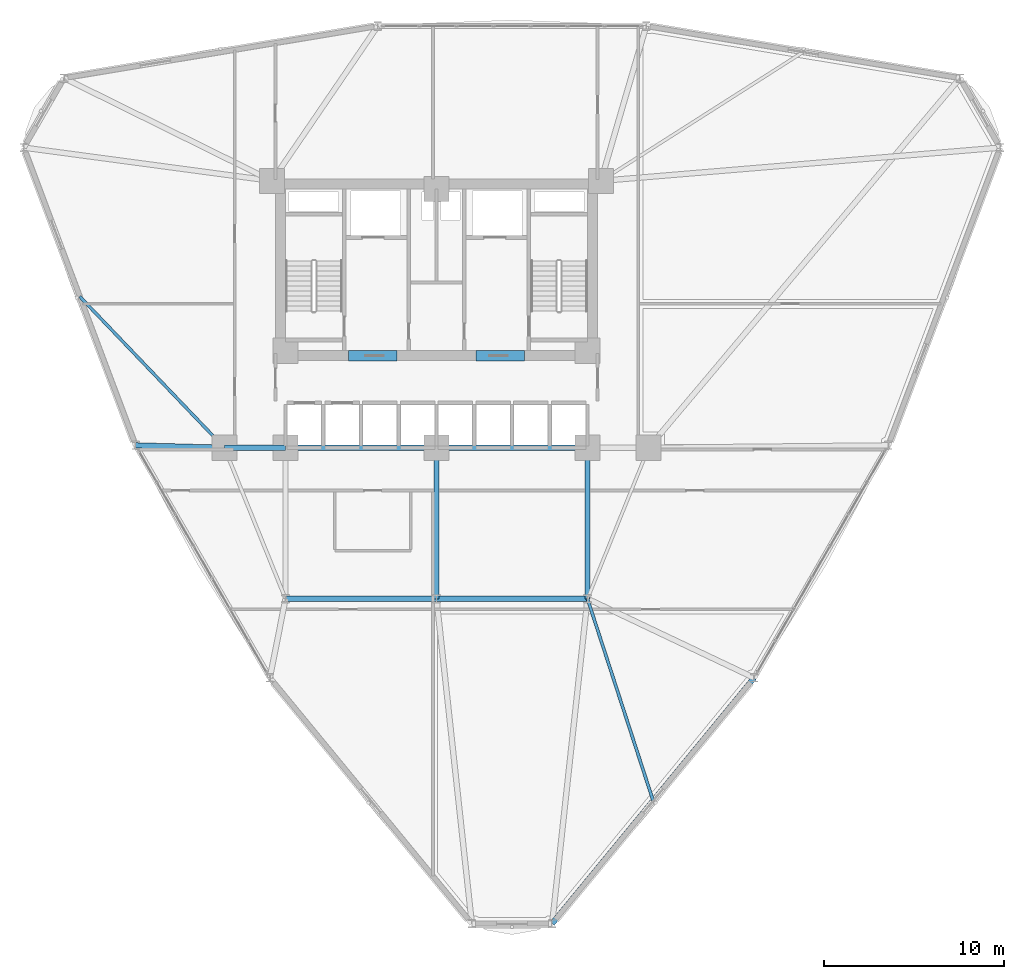
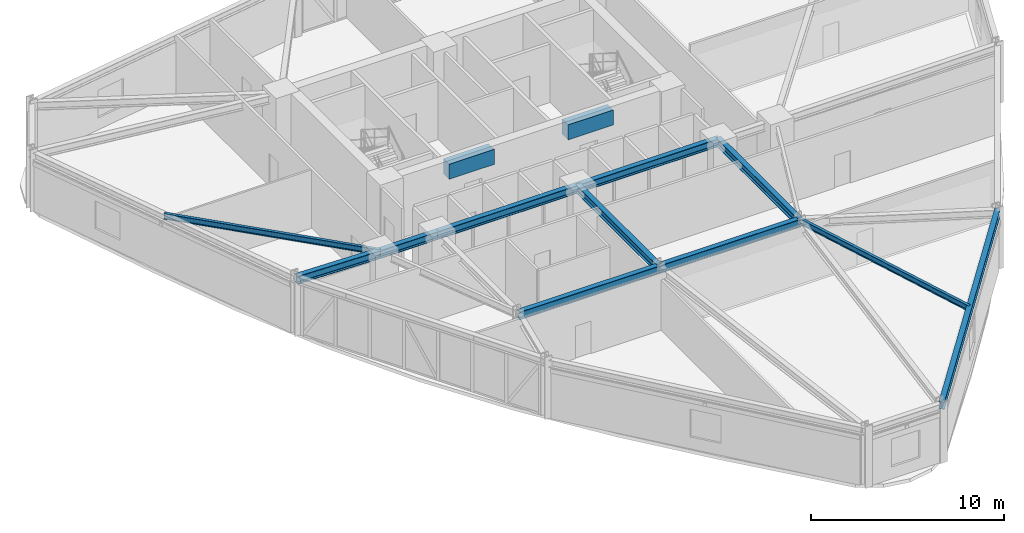
# One storey, part 5 of 20: 13 beams.
"""IFC4 building model written with IfcOpenShell, lengths in metres."""

from ifc_helpers import new_model, si_unit, derived_unit, direction, frame, origin, origin_2d, place, context, subcontext, project, spatial, rectangle, i_section, extrude, source, transform, mapped, material, material_profile, profile_set, type_object, element, save


model = new_model("IFC4")

# Units and contexts
model_context = context("Model", 3, precision=1e-05, world=origin(), true_north=direction((0.0, 1.0)))
body_context = subcontext(model_context, "Body", "Model", "MODEL_VIEW")
ifc_project = project(units=[si_unit("LENGTHUNIT", "METRE"), si_unit("AREAUNIT", "SQUARE_METRE"), si_unit("VOLUMEUNIT", "CUBIC_METRE"), si_unit("PLANEANGLEUNIT", "RADIAN"), si_unit("MASSUNIT", "GRAM", prefix="KILO"), derived_unit("THERMALTRANSMITTANCEUNIT", [(si_unit("POWERUNIT", "WATT"), 1), (si_unit("LENGTHUNIT", "METRE"), -2), (si_unit("THERMODYNAMICTEMPERATUREUNIT", "KELVIN"), -1)])], contexts=[model_context])

# Site, building, storey
site_placement = place(None, origin())
site = spatial("IfcSite", under=ifc_project, at=site_placement, CompositionType="ELEMENT")
building_placement = place(site_placement, origin())
building = spatial("IfcBuilding", under=site, at=building_placement, Name="Korsvarv Bourse and Concert Hall", CompositionType="ELEMENT")
storey_placement = place(building_placement, frame((0.0, 0.0, 79.5)))
storey = spatial("IfcBuildingStorey", under=building, at=storey_placement, Name="L19", CompositionType="ELEMENT", Elevation=79.5)

# Beams
ifc_material_1 = material(Name="Concrete C55/67", Category="concrete")
ifc_material_profile_1 = material_profile(ifc_material_1, rectangle(XDim=0.60009765625, YDim=0.949951171875, at=origin_2d()), Name="RC-BM 600x950")
ifc_profile_set_1 = profile_set([ifc_material_profile_1], Name="Concrete C55/67")
beam_type_1 = type_object("IfcBeamType", Name="BM-CPL", PredefinedType="LINTEL", material=ifc_profile_set_1)
shared_shape_1 = source(origin(), body_context, "Body", "SweptSolid", [
    extrude(rectangle(XDim=0.60009765625, YDim=0.949951171875, at=origin_2d()), origin(), (0.0, 0.0, 1.0), 2.699951171875),
])
for number, where, z_axis, x_axis, name in (
    (1, (31.10009765625, 37.52490234375, 3.205078125), (1.0, 0.0, 0.0), (0.0, 1.0, 0.0), "L19 Core Coupling Beam West"),
    (2, (38.199951171875, 37.52490234375, 3.205078125), (1.0, 0.0, 0.0), (0.0, 1.0, 0.0), "L19 Core Coupling Beam East"),
):
    element("IfcBeam", number, at=place(storey_placement, frame(where, z_axis=z_axis, x_axis=x_axis)), inside=storey, type_object=beam_type_1, Name=name, PredefinedType="LINTEL", context=body_context, shape_type="MappedRepresentation", body=[
        mapped(shared_shape_1, transform((0.0, 0.0, 0.0), scale=1.0)),
    ])
ifc_material_2 = material(Name="Steel S355", Category="steel")
ifc_material_profile_2 = material_profile(ifc_material_2, i_section(OverallWidth=0.300048828125, OverallDepth=0.5, WebThickness=0.014404296875, FlangeThickness=0.028076171875, FilletRadius=0.02392578125, at=origin_2d()), Name="HEB 500")
ifc_profile_set_2 = profile_set([ifc_material_profile_2], Name="Steel S355")
beam_type_2 = type_object("IfcBeamType", Name="BM-HEB500", PredefinedType="BEAM", material=ifc_profile_set_2)
shared_shape_2 = source(origin(), body_context, "Body", "SweptSolid", [
    extrude(i_section(OverallWidth=0.300048828125, OverallDepth=0.5, WebThickness=0.014404296875, FlangeThickness=0.028076171875, FilletRadius=0.02392578125, at=origin_2d()), origin(), (0.0, 0.0, 1.0), 3.400146484375),
])
beam_1_placement = place(storey_placement, frame((24.199951171875, 32.39990234375, 3.429931640625), z_axis=(1.0, 0.0, 0.0), x_axis=(0.0, 1.0, 0.0)))
element("IfcBeam", 3, at=beam_1_placement, inside=storey, type_object=beam_type_2, Name="L19 beam B-07", PredefinedType="BEAM", context=body_context, shape_type="MappedRepresentation", body=[
    mapped(shared_shape_2, transform((0.0, 0.0, 0.0), scale=1.0)),
])
shared_shape_3 = source(origin(), body_context, "Body", "SweptSolid", [
    extrude(i_section(OverallWidth=0.300048828125, OverallDepth=0.5, WebThickness=0.014404296875, FlangeThickness=0.028076171875, FilletRadius=0.02392578125, at=origin_2d()), origin(), (0.0, 0.0, 1.0), 8.39990234375),
])
for number, where, z_axis, x_axis, name in (
    (4, (27.60009765625, 32.39990234375, 3.429931640625), (1.0, 0.0, 0.0), (0.0, 1.0, 0.0), "L19 beam B-07"),
    (5, (36.0, 32.39990234375, 3.429931640625), (1.0, 0.0, 0.0), (0.0, 1.0, 0.0), "L19 beam B-07"),
    (6, (27.60009765625, 24.0, 3.429931640625), (1.0, 0.0, 0.0), (0.0, 1.0, 0.0), "L19 beam B-07"),
    (7, (36.0, 24.0, 3.429931640625), (1.0, 0.0, 0.0), (0.0, 1.0, 0.0), "L19 beam B-07"),
    (8, (36.0, 24.0, 3.429931640625), (0.0, 1.0, 0.0), (-1.0, 0.0, 0.0), "L19 beam B-07"),
    (9, (44.39990234375, 24.0, 3.429931640625), (0.0, 1.0, 0.0), (-1.0, 0.0, 0.0), "L19 beam B-07"),
):
    element("IfcBeam", number, at=place(storey_placement, frame(where, z_axis=z_axis, x_axis=x_axis)), inside=storey, type_object=beam_type_2, Name=name, PredefinedType="BEAM", context=body_context, shape_type="MappedRepresentation", body=[
        mapped(shared_shape_3, transform((0.0, 0.0, 0.0), scale=1.0)),
    ])
ifc_material_profile_3 = material_profile(ifc_material_2, i_section(OverallWidth=0.300048828125, OverallDepth=0.449951171875, WebThickness=0.013916015625, FlangeThickness=0.02587890625, FilletRadius=0.02099609375, at=origin_2d()), Name="HEB 450")
ifc_profile_set_3 = profile_set([ifc_material_profile_3], Name="Steel S355")
beam_type_3 = type_object("IfcBeamType", Name="BM-HEB450", PredefinedType="SPANDREL", material=ifc_profile_set_3)
shared_shape_4 = source(origin(), body_context, "Body", "SweptSolid", [
    extrude(i_section(OverallWidth=0.300048828125, OverallDepth=0.449951171875, WebThickness=0.013916015625, FlangeThickness=0.02587890625, FilletRadius=0.02099609375, at=origin_2d()), origin(), (0.0, 0.0, 1.0), 17.697998046875),
])
beam_2_placement = place(storey_placement, frame((42.43408203125, 5.92578125, 3.455078125), z_axis=(0.634964737332, 0.772541120165, 0.0), x_axis=(-0.772541120165, 0.634964737332, 0.0)))
element("IfcBeam", 10, at=beam_2_placement, inside=storey, type_object=beam_type_3, Name="L19 beam B-08", PredefinedType="SPANDREL", context=body_context, shape_type="MappedRepresentation", body=[
    mapped(shared_shape_4, transform((0.0, 0.0, 0.0), scale=1.0)),
])
shared_shape_5 = source(origin(), body_context, "Body", "SweptSolid", [
    extrude(i_section(OverallWidth=0.300048828125, OverallDepth=0.5, WebThickness=0.014404296875, FlangeThickness=0.028076171875, FilletRadius=0.02392578125, at=origin_2d()), origin(), (0.0, 0.0, 1.0), 4.94189453125),
])
beam_3_placement = place(storey_placement, frame((19.259765625, 32.5341796875, 3.429931640625), z_axis=(0.999630811292, -0.027170592845, 0.0), x_axis=(0.027170592845, 0.999630811292, 0.0)))
element("IfcBeam", 11, at=beam_3_placement, inside=storey, type_object=beam_type_2, Name="L19 beam B-07", PredefinedType="BEAM", context=body_context, shape_type="MappedRepresentation", body=[
    mapped(shared_shape_5, transform((0.0, 0.0, 0.0), scale=1.0)),
])
ifc_material_profile_4 = material_profile(ifc_material_2, i_section(OverallWidth=0.169921875, OverallDepth=0.360107421875, WebThickness=0.008056640625, FlangeThickness=0.0126953125, FilletRadius=0.01806640625, at=origin_2d()), Name="IPE 360")
ifc_profile_set_4 = profile_set([ifc_material_profile_4], Name="Steel S355")
beam_type_4 = type_object("IfcBeamType", Name="BM-IPE360", PredefinedType="JOIST", material=ifc_profile_set_4)
shared_shape_6 = source(origin(), body_context, "Body", "SweptSolid", [
    extrude(i_section(OverallWidth=0.169921875, OverallDepth=0.360107421875, WebThickness=0.008056640625, FlangeThickness=0.0126953125, FilletRadius=0.01806640625, at=origin_2d()), origin(), (0.0, 0.0, 1.0), 11.648681640625),
])
beam_4_placement = place(storey_placement, frame((16.148681640625, 40.818115234375, 3.5), z_axis=(0.691180768498, -0.722681911534, 0.0), x_axis=(0.722681911534, 0.691180768498, 0.0)))
element("IfcBeam", 12, at=beam_4_placement, inside=storey, type_object=beam_type_4, Name="L19 beam J-06", PredefinedType="JOIST", context=body_context, shape_type="MappedRepresentation", body=[
    mapped(shared_shape_6, transform((0.0, 0.0, 0.0), scale=1.0)),
])
shared_shape_7 = source(origin(), body_context, "Body", "SweptSolid", [
    extrude(i_section(OverallWidth=0.169921875, OverallDepth=0.360107421875, WebThickness=0.008056640625, FlangeThickness=0.0126953125, FilletRadius=0.01806640625, at=origin_2d()), origin(), (0.0, 0.0, 1.0), 11.81689453125),
])
beam_5_placement = place(storey_placement, frame((48.052978515625, 12.761962890625, 3.5), z_axis=(-0.309140730058, 0.951016303235, 0.0), x_axis=(-0.951016303235, -0.309140730058, 0.0)))
element("IfcBeam", 13, at=beam_5_placement, inside=storey, type_object=beam_type_4, Name="L19 beam J-06", PredefinedType="JOIST", context=body_context, shape_type="MappedRepresentation", body=[
    mapped(shared_shape_7, transform((0.0, 0.0, 0.0), scale=1.0)),
])

save(model, "model.ifc")
